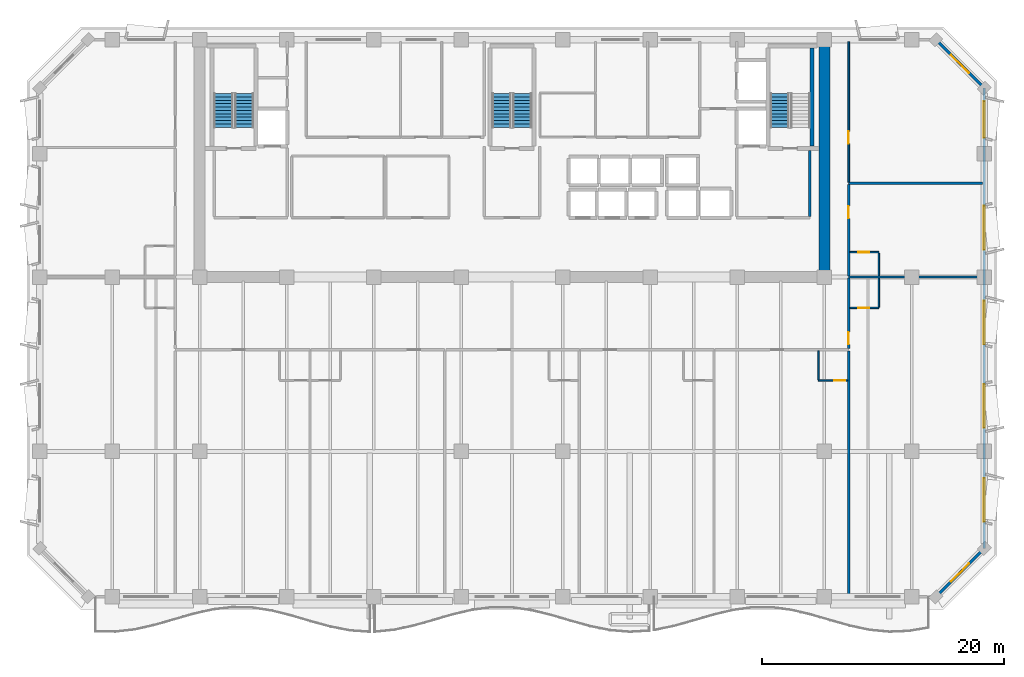
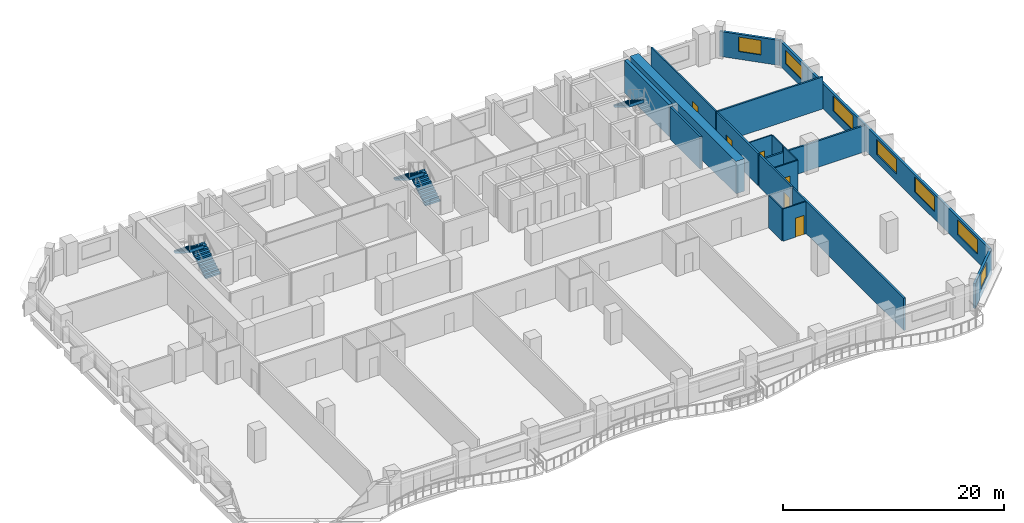
# One storey, part 8 of 14: 18 walls, 7 windows, 6 doors, 5 stair flights, 13 openings, 3 elements without a shape of their own.
"""IFC4 building model written with IfcOpenShell, lengths in metres."""

from ifc_helpers import new_model, si_unit, direction, frame, frame_2d, origin, place, context, subcontext, project, spatial, polyline, rectangle, outline, extrude, material, layer, layer_set, type_object, element, fill, aggregate, save


model = new_model("IFC4")

# Units and contexts
model_context = context("Model", 3, precision=1e-05, world=origin(), true_north=direction((0.0, 1.0)))
body_context = subcontext(model_context, "Body", "Model", "MODEL_VIEW")
ifc_project = project(units=[si_unit("LENGTHUNIT", "METRE"), si_unit("AREAUNIT", "SQUARE_METRE"), si_unit("VOLUMEUNIT", "CUBIC_METRE"), si_unit("PLANEANGLEUNIT", "RADIAN"), si_unit("MASSUNIT", "GRAM", prefix="KILO")], contexts=[model_context])

# Site, building, storey
site_placement = place(None, origin())
site = spatial("IfcSite", under=ifc_project, at=site_placement, CompositionType="ELEMENT")
building_placement = place(site_placement, origin())
building = spatial("IfcBuilding", under=site, at=building_placement, Name="Kaelvorn Grand Hotel", CompositionType="ELEMENT")
storey_placement = place(building_placement, frame((0.0, 0.0, 201.550048828125)))
storey = spatial("IfcBuildingStorey", under=building, at=storey_placement, Name="L49", CompositionType="ELEMENT", Elevation=201.550048828125)

# Wall
ifc_material_1 = material(Name="Concrete C60/75", Category="concrete")
ifc_layer_1 = layer(ifc_material_1, 0.89990234375)
ifc_layer_set_1 = layer_set([ifc_layer_1], Name="Concrete C60/75")
wall_type_1 = type_object("IfcWallType", Name="WL-CORE-900-C60", PredefinedType="SHEAR", material=ifc_layer_set_1)
wall_1_placement = place(storey_placement, frame((67.800048828125, 29.39990234375, 0.0), z_axis=(0.0, 0.0, 1.0), x_axis=(0.0, 1.0, 0.0)))
element("IfcWall", 1, at=wall_1_placement, inside=storey, type_object=wall_type_1, Name="L49 Rear-Core East Shear Wall", PredefinedType="SHEAR", context=body_context, shape_type="SweptSolid", body=[
    extrude(rectangle(XDim=19.2001953125, YDim=0.89990234375, at=frame_2d((9.60009765625, 0.0))), origin(), (0.0, 0.0, 1.0), 3.56005859375),
])

# Wall, opening, window
ifc_material_2 = material(Name="Concrete C40/50", Category="concrete")
ifc_layer_2 = layer(ifc_material_2, 0.239990234375)
ifc_layer_set_2 = layer_set([ifc_layer_2], Name="Concrete C40/50")
wall_type_2 = type_object("IfcWallType", Name="WL-EXT-240-C40", PredefinedType="SOLIDWALL", material=ifc_layer_set_2)
wall_2_placement = place(storey_placement, frame((77.0, 3.0, 0.0), z_axis=(0.0, 0.0, 1.0), x_axis=(0.707106781187, 0.707106781187, 0.0)))
wall_2 = element("IfcWall", 2, at=wall_2_placement, inside=storey, type_object=wall_type_2, Name="L49 Exterior Architectural Concrete Wall 02", PredefinedType="SOLIDWALL", context=body_context, shape_type="SweptSolid", body=[
    extrude(rectangle(XDim=5.65673828125, YDim=0.239990234375, at=frame_2d((2.828369140625, 0.0))), origin(), (0.0, 0.0, 1.0), 2.760009765625),
])
opening_1_placement = place(wall_2_placement, frame((1.7783203125, 0.0, 0.85009765625)))
opening_1 = element("IfcOpeningElement", 3, at=opening_1_placement, cuts=wall_2, Name="Opening W7", PredefinedType="OPENING", context=body_context, shape_type="SweptSolid", body=[
    extrude(rectangle(XDim=2.10009765625, YDim=1.60009765625, at=frame_2d((1.050048828125, 0.800048828125))), frame((0.0, 0.1298828125, 0.0), z_axis=(0.0, -1.0, 0.0), x_axis=(1.0, 0.0, 0.0)), (0.0, 0.0, 1.0), 0.260009765625),
])
ifc_material_3 = material(Name="Laminated Low-E Glass", Category="glass")
window_type_1 = type_object("IfcWindowType", Name="WIN-CHM-2100x1600", PartitioningType="SINGLE_PANEL", PredefinedType="WINDOW", material=ifc_material_3)
window_1_placement = place(opening_1_placement, origin())
window_1 = element("IfcWindow", 4, at=window_1_placement, inside=storey, type_object=window_type_1, Name="L49 Chamfered 45-Degree Corner Window SE", OverallHeight=1.60009765625, OverallWidth=2.10009765625, PartitioningType="SINGLE_PANEL", PredefinedType="WINDOW", context=body_context, shape_type="SweptSolid", body=[
    extrude(rectangle(XDim=2.10009765625, YDim=1.60009765625, at=frame_2d((1.050048828125, 0.800048828125))), frame((0.0, 0.030029296875, 0.0), z_axis=(0.0, -1.0, 0.0), x_axis=(1.0, 0.0, 0.0)), (0.0, 0.0, 1.0), 0.06005859375),
])
fill(opening_1, window_1)

# Wall, openings, windows
wall_3_placement = place(storey_placement, frame((81.0, 7.0, 0.0), z_axis=(0.0, 0.0, 1.0), x_axis=(0.0, 1.0, 0.0)))
wall_3 = element("IfcWall", 5, at=wall_3_placement, inside=storey, type_object=wall_type_2, Name="L49 Exterior Architectural Concrete Wall 03", PredefinedType="SOLIDWALL", context=body_context, shape_type="SweptSolid", body=[
    extrude(rectangle(XDim=38.0, YDim=0.239990234375, at=frame_2d((19.0, 0.0))), origin(), (0.0, 0.0, 1.0), 2.760009765625),
])
opening_2_placement = place(wall_3_placement, frame((2.199951171875, 0.0, 0.85009765625)))
opening_2 = element("IfcOpeningElement", 6, at=opening_2_placement, cuts=wall_3, Name="Opening W3", PredefinedType="OPENING", context=body_context, shape_type="SweptSolid", body=[
    extrude(rectangle(XDim=3.60009765625, YDim=1.64990234375, at=frame_2d((1.800048828125, 0.824951171875))), frame((0.0, 0.1298828125, 0.0), z_axis=(0.0, -1.0, 0.0), x_axis=(1.0, 0.0, 0.0)), (0.0, 0.0, 1.0), 0.260009765625),
])
opening_3_placement = place(wall_3_placement, frame((9.965087890625, 0.0, 0.85009765625)))
opening_3 = element("IfcOpeningElement", 7, at=opening_3_placement, cuts=wall_3, Name="Opening W3", PredefinedType="OPENING", context=body_context, shape_type="SweptSolid", body=[
    extrude(rectangle(XDim=3.60009765625, YDim=1.64990234375, at=frame_2d((1.800048828125, 0.824951171875))), frame((0.0, 0.1298828125, 0.0), z_axis=(0.0, -1.0, 0.0), x_axis=(1.0, 0.0, 0.0)), (0.0, 0.0, 1.0), 0.260009765625),
])
opening_4_placement = place(wall_3_placement, frame((16.8349609375, 0.0, 0.85009765625)))
opening_4 = element("IfcOpeningElement", 8, at=opening_4_placement, cuts=wall_3, Name="Opening W3", PredefinedType="OPENING", context=body_context, shape_type="SweptSolid", body=[
    extrude(rectangle(XDim=3.60009765625, YDim=1.64990234375, at=frame_2d((1.800048828125, 0.824951171875))), frame((0.0, 0.1298828125, 0.0), z_axis=(0.0, -1.0, 0.0), x_axis=(1.0, 0.0, 0.0)), (0.0, 0.0, 1.0), 0.260009765625),
])
opening_5_placement = place(wall_3_placement, frame((24.675048828125, 0.0, 0.85009765625)))
opening_5 = element("IfcOpeningElement", 9, at=opening_5_placement, cuts=wall_3, Name="Opening W3", PredefinedType="OPENING", context=body_context, shape_type="SweptSolid", body=[
    extrude(rectangle(XDim=3.60009765625, YDim=1.64990234375, at=frame_2d((1.800048828125, 0.824951171875))), frame((0.0, 0.1298828125, 0.0), z_axis=(0.0, -1.0, 0.0), x_axis=(1.0, 0.0, 0.0)), (0.0, 0.0, 1.0), 0.260009765625),
])
opening_6_placement = place(wall_3_placement, frame((33.9150390625, 0.0, 0.85009765625)))
opening_6 = element("IfcOpeningElement", 10, at=opening_6_placement, cuts=wall_3, Name="Opening W5", PredefinedType="OPENING", context=body_context, shape_type="SweptSolid", body=[
    extrude(rectangle(XDim=3.0, YDim=1.5, at=frame_2d((1.5, 0.75))), frame((0.0, 0.1298828125, 0.0), z_axis=(0.0, -1.0, 0.0), x_axis=(1.0, 0.0, 0.0)), (0.0, 0.0, 1.0), 0.260009765625),
])
window_type_2 = type_object("IfcWindowType", Name="WIN-NTH-3000x1500", PartitioningType="SINGLE_PANEL", PredefinedType="WINDOW", material=ifc_material_3)
window_2_placement = place(opening_6_placement, origin())
window_2 = element("IfcWindow", 11, at=window_2_placement, inside=storey, type_object=window_type_2, Name="L49 E Wing Tilted-Frame Ribbon Window E05", OverallHeight=1.5, OverallWidth=3.0, PartitioningType="SINGLE_PANEL", PredefinedType="WINDOW", context=body_context, shape_type="SweptSolid", body=[
    extrude(rectangle(XDim=3.0, YDim=1.5, at=frame_2d((1.5, 0.75))), frame((0.0, 0.030029296875, 0.0), z_axis=(0.0, -1.0, 0.0), x_axis=(1.0, 0.0, 0.0)), (0.0, 0.0, 1.0), 0.06005859375),
])
fill(opening_6, window_2)
window_type_3 = type_object("IfcWindowType", Name="WIN-RIB-3600x1750", PartitioningType="SINGLE_PANEL", PredefinedType="WINDOW", material=ifc_material_3)
window_3_placement = place(opening_2_placement, origin())
window_3 = element("IfcWindow", 12, at=window_3_placement, inside=storey, type_object=window_type_3, Name="L49 E Wing Tilted-Frame Ribbon Window E01", OverallHeight=1.64990234375, OverallWidth=3.60009765625, PartitioningType="SINGLE_PANEL", PredefinedType="WINDOW", context=body_context, shape_type="SweptSolid", body=[
    extrude(rectangle(XDim=3.60009765625, YDim=1.64990234375, at=frame_2d((1.800048828125, 0.824951171875))), frame((0.0, 0.030029296875, 0.0), z_axis=(0.0, -1.0, 0.0), x_axis=(1.0, 0.0, 0.0)), (0.0, 0.0, 1.0), 0.06005859375),
])
fill(opening_2, window_3)
window_4_placement = place(opening_3_placement, origin())
window_4 = element("IfcWindow", 13, at=window_4_placement, inside=storey, type_object=window_type_3, Name="L49 E Wing Tilted-Frame Ribbon Window E02", OverallHeight=1.64990234375, OverallWidth=3.60009765625, PartitioningType="SINGLE_PANEL", PredefinedType="WINDOW", context=body_context, shape_type="SweptSolid", body=[
    extrude(rectangle(XDim=3.60009765625, YDim=1.64990234375, at=frame_2d((1.800048828125, 0.824951171875))), frame((0.0, 0.030029296875, 0.0), z_axis=(0.0, -1.0, 0.0), x_axis=(1.0, 0.0, 0.0)), (0.0, 0.0, 1.0), 0.06005859375),
])
fill(opening_3, window_4)
window_5_placement = place(opening_4_placement, origin())
window_5 = element("IfcWindow", 14, at=window_5_placement, inside=storey, type_object=window_type_3, Name="L49 E Wing Tilted-Frame Ribbon Window E03", OverallHeight=1.64990234375, OverallWidth=3.60009765625, PartitioningType="SINGLE_PANEL", PredefinedType="WINDOW", context=body_context, shape_type="SweptSolid", body=[
    extrude(rectangle(XDim=3.60009765625, YDim=1.64990234375, at=frame_2d((1.800048828125, 0.824951171875))), frame((0.0, 0.030029296875, 0.0), z_axis=(0.0, -1.0, 0.0), x_axis=(1.0, 0.0, 0.0)), (0.0, 0.0, 1.0), 0.06005859375),
])
fill(opening_4, window_5)
window_6_placement = place(opening_5_placement, origin())
window_6 = element("IfcWindow", 15, at=window_6_placement, inside=storey, type_object=window_type_3, Name="L49 E Wing Tilted-Frame Ribbon Window E04", OverallHeight=1.64990234375, OverallWidth=3.60009765625, PartitioningType="SINGLE_PANEL", PredefinedType="WINDOW", context=body_context, shape_type="SweptSolid", body=[
    extrude(rectangle(XDim=3.60009765625, YDim=1.64990234375, at=frame_2d((1.800048828125, 0.824951171875))), frame((0.0, 0.030029296875, 0.0), z_axis=(0.0, -1.0, 0.0), x_axis=(1.0, 0.0, 0.0)), (0.0, 0.0, 1.0), 0.06005859375),
])
fill(opening_5, window_6)

# Wall, opening, window
wall_4_placement = place(storey_placement, frame((81.0, 45.0, 0.0), z_axis=(0.0, 0.0, 1.0), x_axis=(-0.707106781187, 0.707106781187, 0.0)))
wall_4 = element("IfcWall", 16, at=wall_4_placement, inside=storey, type_object=wall_type_2, Name="L49 Exterior Architectural Concrete Wall 04", PredefinedType="SOLIDWALL", context=body_context, shape_type="SweptSolid", body=[
    extrude(rectangle(XDim=5.65673828125, YDim=0.239990234375, at=frame_2d((2.828369140625, 0.0))), origin(), (0.0, 0.0, 1.0), 2.760009765625),
])
opening_7_placement = place(wall_4_placement, frame((1.7783203125, 0.0, 0.85009765625)))
opening_7 = element("IfcOpeningElement", 17, at=opening_7_placement, cuts=wall_4, Name="Opening W7", PredefinedType="OPENING", context=body_context, shape_type="SweptSolid", body=[
    extrude(rectangle(XDim=2.10009765625, YDim=1.60009765625, at=frame_2d((1.050048828125, 0.800048828125))), frame((0.0, 0.1298828125, 0.0), z_axis=(0.0, -1.0, 0.0), x_axis=(1.0, 0.0, 0.0)), (0.0, 0.0, 1.0), 0.260009765625),
])
window_7_placement = place(opening_7_placement, origin())
window_7 = element("IfcWindow", 18, at=window_7_placement, inside=storey, type_object=window_type_1, Name="L49 Chamfered 45-Degree Corner Window NE", OverallHeight=1.60009765625, OverallWidth=2.10009765625, PartitioningType="SINGLE_PANEL", PredefinedType="WINDOW", context=body_context, shape_type="SweptSolid", body=[
    extrude(rectangle(XDim=2.10009765625, YDim=1.60009765625, at=frame_2d((1.050048828125, 0.800048828125))), frame((0.0, 0.030029296875, 0.0), z_axis=(0.0, -1.0, 0.0), x_axis=(1.0, 0.0, 0.0)), (0.0, 0.0, 1.0), 0.06005859375),
])
fill(opening_7, window_7)

# Wall, opening, door
ifc_material_4 = material(Name="Moisture-Resistant Tile & Stud Board")
ifc_layer_3 = layer(ifc_material_4, 0.125)
ifc_layer_set_3 = layer_set([ifc_layer_3], Name="Moisture-Resistant Tile & Stud Board")
wall_type_3 = type_object("IfcWallType", Name="WL-PART-125-WET", PredefinedType="PARTITIONING", material=ifc_layer_set_3)
wall_5_placement = place(storey_placement, frame((67.300048828125, 20.85009765625, 0.0), z_axis=(0.0, 0.0, 1.0), x_axis=(1.0, 0.0, 0.0)))
wall_5 = element("IfcWall", 19, at=wall_5_placement, inside=storey, type_object=wall_type_3, Name="L49 En-suite Bathroom L49-05 S Partition", PredefinedType="PARTITIONING", context=body_context, shape_type="SweptSolid", body=[
    extrude(rectangle(XDim=2.405029296875, YDim=0.125, at=frame_2d((1.20263671875, 0.0))), origin(), (0.0, 0.0, 1.0), 3.56005859375),
])
opening_8_placement = place(wall_5_placement, frame((1.300048828125, 0.0, 0.0)))
opening_8 = element("IfcOpeningElement", 20, at=opening_8_placement, cuts=wall_5, Name="Opening DI4", PredefinedType="OPENING", context=body_context, shape_type="SweptSolid", body=[
    extrude(rectangle(XDim=0.89990234375, YDim=2.10009765625, at=frame_2d((0.449951171875, 1.050048828125))), frame((0.0, 0.072509765625, 0.0), z_axis=(0.0, -1.0, 0.0), x_axis=(1.0, 0.0, 0.0)), (0.0, 0.0, 1.0), 0.14501953125),
])
ifc_material_5 = material(Name="Timber Veneer Leaf", Category="wood")
door_type_1 = type_object("IfcDoorType", Name="DR-INT-BATH-900x2100", OperationType="NOTDEFINED", PredefinedType="DOOR", material=ifc_material_5)
door_1_placement = place(opening_8_placement, origin())
door_1 = element("IfcDoor", 21, at=door_1_placement, inside=storey, type_object=door_type_1, Name="L49 En-suite Bathroom L49-05 Door", OperationType="SINGLE_SWING_LEFT", OverallHeight=2.10009765625, OverallWidth=0.89990234375, PredefinedType="DOOR", context=body_context, shape_type="SweptSolid", body=[
    extrude(rectangle(XDim=0.89990234375, YDim=2.10009765625, at=frame_2d((0.449951171875, 1.050048828125))), frame((0.0, 0.02490234375, 0.0), z_axis=(0.0, -1.0, 0.0), x_axis=(1.0, 0.0, 0.0)), (0.0, 0.0, 1.0), 0.050048828125),
])
fill(opening_8, door_1)

# Wall
wall_6_placement = place(storey_placement, frame((67.300048828125, 20.91748046875, 0.0), z_axis=(0.0, 0.0, 1.0), x_axis=(0.0, 1.0, 0.0)))
element("IfcWall", 22, at=wall_6_placement, inside=storey, type_object=wall_type_3, Name="L49 En-suite Bathroom L49-05 W Partition", PredefinedType="PARTITIONING", context=body_context, shape_type="SweptSolid", body=[
    extrude(rectangle(XDim=2.387451171875, YDim=0.125, at=frame_2d((1.19384765625, 0.0))), origin(), (0.0, 0.0, 1.0), 3.56005859375),
])

# Wall, opening, door
wall_7_placement = place(storey_placement, frame((69.89501953125, 26.85009765625, 0.0), z_axis=(0.0, 0.0, 1.0), x_axis=(1.0, 0.0, 0.0)))
wall_7 = element("IfcWall", 23, at=wall_7_placement, inside=storey, type_object=wall_type_3, Name="L49 En-suite Bathroom L49-07 S Partition", PredefinedType="PARTITIONING", context=body_context, shape_type="SweptSolid", body=[
    extrude(rectangle(XDim=2.405029296875, YDim=0.125, at=frame_2d((1.20263671875, 0.0))), origin(), (0.0, 0.0, 1.0), 3.56005859375),
])
opening_9_placement = place(wall_7_placement, frame((0.705078125, 0.0, 0.0)))
opening_9 = element("IfcOpeningElement", 24, at=opening_9_placement, cuts=wall_7, Name="Opening DI4", PredefinedType="OPENING", context=body_context, shape_type="SweptSolid", body=[
    extrude(rectangle(XDim=0.89990234375, YDim=2.10009765625, at=frame_2d((0.449951171875, 1.050048828125))), frame((0.0, 0.072509765625, 0.0), z_axis=(0.0, -1.0, 0.0), x_axis=(1.0, 0.0, 0.0)), (0.0, 0.0, 1.0), 0.14501953125),
])
door_2_placement = place(opening_9_placement, origin())
door_2 = element("IfcDoor", 25, at=door_2_placement, inside=storey, type_object=door_type_1, Name="L49 En-suite Bathroom L49-07 Door", OperationType="SINGLE_SWING_LEFT", OverallHeight=2.10009765625, OverallWidth=0.89990234375, PredefinedType="DOOR", context=body_context, shape_type="SweptSolid", body=[
    extrude(rectangle(XDim=0.89990234375, YDim=2.10009765625, at=frame_2d((0.449951171875, 1.050048828125))), frame((0.0, 0.02490234375, 0.0), z_axis=(0.0, -1.0, 0.0), x_axis=(1.0, 0.0, 0.0)), (0.0, 0.0, 1.0), 0.050048828125),
])
fill(opening_9, door_2)

# Wall
wall_8_placement = place(storey_placement, frame((72.300048828125, 26.91748046875, 0.0), z_axis=(0.0, 0.0, 1.0), x_axis=(0.0, 1.0, 0.0)))
element("IfcWall", 26, at=wall_8_placement, inside=storey, type_object=wall_type_3, Name="L49 En-suite Bathroom L49-07 E Partition", PredefinedType="PARTITIONING", context=body_context, shape_type="SweptSolid", body=[
    extrude(rectangle(XDim=2.387451171875, YDim=0.125, at=frame_2d((1.19384765625, 0.0))), origin(), (0.0, 0.0, 1.0), 3.56005859375),
])

# Wall, opening, door
wall_9_placement = place(storey_placement, frame((69.89501953125, 31.449951171875, 0.0), z_axis=(0.0, 0.0, 1.0), x_axis=(1.0, 0.0, 0.0)))
wall_9 = element("IfcWall", 27, at=wall_9_placement, inside=storey, type_object=wall_type_3, Name="L49 En-suite Bathroom L49-09 N Partition", PredefinedType="PARTITIONING", context=body_context, shape_type="SweptSolid", body=[
    extrude(rectangle(XDim=2.405029296875, YDim=0.125, at=frame_2d((1.20263671875, 0.0))), origin(), (0.0, 0.0, 1.0), 3.56005859375),
])
opening_10_placement = place(wall_9_placement, frame((0.705078125, 0.0, 0.0)))
opening_10 = element("IfcOpeningElement", 28, at=opening_10_placement, cuts=wall_9, Name="Opening DI4", PredefinedType="OPENING", context=body_context, shape_type="SweptSolid", body=[
    extrude(rectangle(XDim=0.89990234375, YDim=2.10009765625, at=frame_2d((0.449951171875, 1.050048828125))), frame((0.0, 0.072509765625, 0.0), z_axis=(0.0, -1.0, 0.0), x_axis=(1.0, 0.0, 0.0)), (0.0, 0.0, 1.0), 0.14501953125),
])
door_3_placement = place(opening_10_placement, origin())
door_3 = element("IfcDoor", 29, at=door_3_placement, inside=storey, type_object=door_type_1, Name="L49 En-suite Bathroom L49-09 Door", OperationType="SINGLE_SWING_RIGHT", OverallHeight=2.10009765625, OverallWidth=0.89990234375, PredefinedType="DOOR", context=body_context, shape_type="SweptSolid", body=[
    extrude(rectangle(XDim=0.89990234375, YDim=2.10009765625, at=frame_2d((0.449951171875, 1.050048828125))), frame((0.0, 0.02490234375, 0.0), z_axis=(0.0, -1.0, 0.0), x_axis=(1.0, 0.0, 0.0)), (0.0, 0.0, 1.0), 0.050048828125),
])
fill(opening_10, door_3)

# Wall
wall_10_placement = place(storey_placement, frame((72.300048828125, 29.4951171875, 0.0), z_axis=(0.0, 0.0, 1.0), x_axis=(0.0, 1.0, 0.0)))
element("IfcWall", 30, at=wall_10_placement, inside=storey, type_object=wall_type_3, Name="L49 En-suite Bathroom L49-09 E Partition", PredefinedType="PARTITIONING", context=body_context, shape_type="SweptSolid", body=[
    extrude(rectangle(XDim=1.887451171875, YDim=0.125, at=frame_2d((0.94384765625, 0.0))), origin(), (0.0, 0.0, 1.0), 3.56005859375),
])

# Wall, opening, door
ifc_material_6 = material(Name="Acoustic Gypsum & Stud Partition")
ifc_layer_4 = layer(ifc_material_6, 0.14990234375)
ifc_layer_set_4 = layer_set([ifc_layer_4], Name="Acoustic Gypsum & Stud Partition")
wall_type_4 = type_object("IfcWallType", Name="WL-PART-150-EI60", PredefinedType="PARTITIONING", material=ifc_layer_set_4)
wall_11_placement = place(storey_placement, frame((69.800048828125, 37.2451171875, 0.0), z_axis=(0.0, 0.0, 1.0), x_axis=(0.0, 1.0, 0.0)))
wall_11 = element("IfcWall", 31, at=wall_11_placement, inside=storey, type_object=wall_type_4, Name="L49 North-East Summit Conference Room W Partition", PredefinedType="PARTITIONING", context=body_context, shape_type="SweptSolid", body=[
    extrude(rectangle(XDim=11.60498046875, YDim=0.14990234375, at=frame_2d((5.802490234375, 0.0))), origin(), (0.0, 0.0, 1.0), 3.56005859375),
])
opening_11_placement = place(wall_11_placement, frame((3.175048828125, 0.0, 0.0)))
opening_11 = element("IfcOpeningElement", 32, at=opening_11_placement, cuts=wall_11, Name="Opening DI3", PredefinedType="OPENING", context=body_context, shape_type="SweptSolid", body=[
    extrude(rectangle(XDim=1.0, YDim=2.14990234375, at=frame_2d((0.5, 1.074951171875))), frame((0.0, 0.0849609375, 0.0), z_axis=(0.0, -1.0, 0.0), x_axis=(1.0, 0.0, 0.0)), (0.0, 0.0, 1.0), 0.169921875),
])
ifc_material_7 = material(Name="Timber Veneer Fire Leaf", Category="wood")
door_type_2 = type_object("IfcDoorType", Name="DR-INT-GUEST-1000x2150", OperationType="NOTDEFINED", PredefinedType="DOOR", material=ifc_material_7)
door_4_placement = place(opening_11_placement, origin())
door_4 = element("IfcDoor", 33, at=door_4_placement, inside=storey, type_object=door_type_2, Name="L49 North-East Summit Conference Room Door", OperationType="SINGLE_SWING_LEFT", OverallHeight=2.14990234375, OverallWidth=1.0, PredefinedType="DOOR", context=body_context, shape_type="SweptSolid", body=[
    extrude(rectangle(XDim=1.0, YDim=2.14990234375, at=frame_2d((0.5, 1.074951171875))), frame((0.0, 0.02490234375, 0.0), z_axis=(0.0, -1.0, 0.0), x_axis=(1.0, 0.0, 0.0)), (0.0, 0.0, 1.0), 0.050048828125),
])
fill(opening_11, door_4)

# Walls
ifc_layer_5 = layer(ifc_material_6, 0.179931640625)
ifc_layer_set_5 = layer_set([ifc_layer_5], Name="Acoustic Gypsum & Stud Partition")
wall_type_5 = type_object("IfcWallType", Name="WL-PART-180-EI60", PredefinedType="PARTITIONING", material=ifc_layer_set_5)
wall_12_placement = place(storey_placement, frame((69.800048828125, 3.14990234375, 0.0), z_axis=(0.0, 0.0, 1.0), x_axis=(0.0, 1.0, 0.0)))
element("IfcWall", 34, at=wall_12_placement, inside=storey, type_object=wall_type_5, Name="L49 Mid-Rise Signature Suite L49-05 E Partition", PredefinedType="PARTITIONING", context=body_context, shape_type="SweptSolid", body=[
    extrude(rectangle(XDim=20.155029296875, YDim=0.179931640625, at=frame_2d((10.07763671875, 0.0))), origin(), (0.0, 0.0, 1.0), 3.56005859375),
])
wall_13_placement = place(storey_placement, frame((69.800048828125, 29.39990234375, 0.0), z_axis=(0.0, 0.0, 1.0), x_axis=(1.0, 0.0, 0.0)))
element("IfcWall", 35, at=wall_13_placement, inside=storey, type_object=wall_type_5, Name="L49 Presidential Sky Suite L49-07 N Partition", PredefinedType="PARTITIONING", context=body_context, shape_type="SweptSolid", body=[
    extrude(rectangle(XDim=11.050048828125, YDim=0.179931640625, at=frame_2d((5.52490234375, 0.0))), origin(), (0.0, 0.0, 1.0), 2.909912109375),
])

# Wall, opening, door
wall_14_placement = place(storey_placement, frame((69.800048828125, 23.4951171875, 0.0), z_axis=(0.0, 0.0, 1.0), x_axis=(0.0, 1.0, 0.0)))
wall_14 = element("IfcWall", 36, at=wall_14_placement, inside=storey, type_object=wall_type_5, Name="L49 Presidential Sky Suite L49-07 W Partition", PredefinedType="PARTITIONING", context=body_context, shape_type="SweptSolid", body=[
    extrude(rectangle(XDim=5.809814453125, YDim=0.179931640625, at=frame_2d((2.90478515625, 0.0))), origin(), (0.0, 0.0, 1.0), 3.56005859375),
])
opening_12_placement = place(wall_14_placement, frame((0.35498046875, 0.0, 0.0)))
opening_12 = element("IfcOpeningElement", 37, at=opening_12_placement, cuts=wall_14, Name="Opening DI3", PredefinedType="OPENING", context=body_context, shape_type="SweptSolid", body=[
    extrude(rectangle(XDim=1.0, YDim=2.14990234375, at=frame_2d((0.5, 1.074951171875))), frame((0.0, 0.10009765625, 0.0), z_axis=(0.0, -1.0, 0.0), x_axis=(1.0, 0.0, 0.0)), (0.0, 0.0, 1.0), 0.199951171875),
])
door_5_placement = place(opening_12_placement, origin())
door_5 = element("IfcDoor", 38, at=door_5_placement, inside=storey, type_object=door_type_2, Name="L49 Presidential Sky Suite L49-07 Door", OperationType="SINGLE_SWING_RIGHT", OverallHeight=2.14990234375, OverallWidth=1.0, PredefinedType="DOOR", context=body_context, shape_type="SweptSolid", body=[
    extrude(rectangle(XDim=1.0, YDim=2.14990234375, at=frame_2d((0.5, 1.074951171875))), frame((0.0, 0.02490234375, 0.0), z_axis=(0.0, -1.0, 0.0), x_axis=(1.0, 0.0, 0.0)), (0.0, 0.0, 1.0), 0.050048828125),
])
fill(opening_12, door_5)

# Wall
wall_15_placement = place(storey_placement, frame((69.800048828125, 37.14990234375, 0.0), z_axis=(0.0, 0.0, 1.0), x_axis=(1.0, 0.0, 0.0)))
element("IfcWall", 39, at=wall_15_placement, inside=storey, type_object=wall_type_5, Name="L49 North-East Wing Suite L49-09 N Partition", PredefinedType="PARTITIONING", context=body_context, shape_type="SweptSolid", body=[
    extrude(rectangle(XDim=11.050048828125, YDim=0.179931640625, at=frame_2d((5.52490234375, 0.0))), origin(), (0.0, 0.0, 1.0), 3.56005859375),
])

# Wall, opening, door
wall_16_placement = place(storey_placement, frame((69.800048828125, 29.4951171875, 0.0), z_axis=(0.0, 0.0, 1.0), x_axis=(0.0, 1.0, 0.0)))
wall_16 = element("IfcWall", 40, at=wall_16_placement, inside=storey, type_object=wall_type_5, Name="L49 North-East Wing Suite L49-09 W Partition", PredefinedType="PARTITIONING", context=body_context, shape_type="SweptSolid", body=[
    extrude(rectangle(XDim=7.559814453125, YDim=0.179931640625, at=frame_2d((3.77978515625, 0.0))), origin(), (0.0, 0.0, 1.0), 3.56005859375),
])
opening_13_placement = place(wall_16_placement, frame((4.7548828125, 0.0, 0.0)))
opening_13 = element("IfcOpeningElement", 41, at=opening_13_placement, cuts=wall_16, Name="Opening DI3", PredefinedType="OPENING", context=body_context, shape_type="SweptSolid", body=[
    extrude(rectangle(XDim=1.0, YDim=2.14990234375, at=frame_2d((0.5, 1.074951171875))), frame((0.0, 0.10009765625, 0.0), z_axis=(0.0, -1.0, 0.0), x_axis=(1.0, 0.0, 0.0)), (0.0, 0.0, 1.0), 0.199951171875),
])
door_6_placement = place(opening_13_placement, origin())
door_6 = element("IfcDoor", 42, at=door_6_placement, inside=storey, type_object=door_type_2, Name="L49 North-East Wing Suite L49-09 Door", OperationType="SINGLE_SWING_LEFT", OverallHeight=2.14990234375, OverallWidth=1.0, PredefinedType="DOOR", context=body_context, shape_type="SweptSolid", body=[
    extrude(rectangle(XDim=1.0, YDim=2.14990234375, at=frame_2d((0.5, 1.074951171875))), frame((0.0, 0.02490234375, 0.0), z_axis=(0.0, -1.0, 0.0), x_axis=(1.0, 0.0, 0.0)), (0.0, 0.0, 1.0), 0.050048828125),
])
fill(opening_13, door_6)

# Walls
ifc_layer_6 = layer(ifc_material_2, 0.219970703125)
ifc_layer_set_6 = layer_set([ifc_layer_6], Name="Concrete C40/50")
wall_type_6 = type_object("IfcWallType", Name="WL-PART-220-EI120", PredefinedType="PARTITIONING", material=ifc_layer_set_6)
wall_17_placement = place(storey_placement, frame((66.60009765625, 34.4150390625, 0.0), z_axis=(0.0, 0.0, 1.0), x_axis=(0.0, 1.0, 0.0)))
element("IfcWall", 43, at=wall_17_placement, inside=storey, type_object=wall_type_6, Name="L49 Firefighting Lift Lobby 2 E Partition", PredefinedType="PARTITIONING", context=body_context, shape_type="SweptSolid", body=[
    extrude(rectangle(XDim=5.429931640625, YDim=0.219970703125, at=frame_2d((2.71484375, 0.0))), origin(), (0.0, 0.0, 1.0), 3.56005859375),
])
ifc_layer_7 = layer(ifc_material_1, 0.35009765625)
ifc_layer_set_7 = layer_set([ifc_layer_7], Name="Concrete C60/75")
wall_type_7 = type_object("IfcWallType", Name="WL-SHAFT-350-C60", PredefinedType="SHEAR", material=ifc_layer_set_7)
wall_18_placement = place(storey_placement, frame((66.77490234375, 40.205078125, 0.0), z_axis=(0.0, 0.0, 1.0), x_axis=(0.0, 1.0, 0.0)))
element("IfcWall", 44, at=wall_18_placement, inside=storey, type_object=wall_type_7, Name="L49 ST3 Stair Shaft East Wall", PredefinedType="SHEAR", context=body_context, shape_type="SweptSolid", body=[
    extrude(rectangle(XDim=8.08984375, YDim=0.35009765625, at=frame_2d((4.044921875, 0.0))), origin(), (0.0, 0.0, 1.0), 3.56005859375),
])

# Stair, stair flights
stair_type = type_object("IfcStairType", Name="STR-DOG-1560-R08", PredefinedType="HALF_TURN_STAIR", material=ifc_material_2)
stair_1_placement = place(storey_placement, origin())
stair_1 = element("IfcStair", 45, at=stair_1_placement, inside=storey, type_object=stair_type, Name="L49 West Core Exit Stair ST1", PredefinedType="HALF_TURN_STAIR")
stair_flight_type = type_object("IfcStairFlightType", Name="FLG-DOG-1560-R08", PredefinedType="STRAIGHT", material=ifc_material_2)
stair_flight_1_placement = place(storey_placement, frame((19.89990234375, 41.760009765625, 0.0), z_axis=(0.0, 0.0, 1.0), x_axis=(0.0, 1.0, 0.0)))
stair_flight_1 = element("IfcStairFlight", 46, at=stair_flight_1_placement, type_object=stair_flight_type, Name="ST1 flight 1", NumberOfRisers=11, NumberOfTreads=10, PredefinedType="STRAIGHT", RiserHeight=0.172727273, TreadLength=0.28, context=body_context, shape_type="SweptSolid", body=[
    extrude(outline(polyline([(-0.0048828125, 0.0), (-0.0048828125, 0.0400390625), (0.0, 0.172607421875), (0.280029296875, 0.172607421875), (0.280029296875, 0.345458984375), (0.56005859375, 0.345458984375), (0.56005859375, 0.51806640625), (0.840087890625, 0.51806640625), (0.840087890625, 0.69091796875), (1.1201171875, 0.69091796875), (1.1201171875, 0.863525390625), (1.39990234375, 0.863525390625), (1.39990234375, 1.036376953125), (1.679931640625, 1.036376953125), (1.679931640625, 1.208984375), (1.9599609375, 1.208984375), (1.9599609375, 1.3818359375), (2.239990234375, 1.3818359375), (2.239990234375, 1.554443359375), (2.52001953125, 1.554443359375), (2.52001953125, 1.727294921875), (2.800048828125, 1.727294921875), (2.800048828125, 1.89990234375), (2.804931640625, 1.89990234375), (2.804931640625, 1.551025390625), (0.285400390625, 0.0), (-0.0048828125, 0.0)])), frame((0.0, 0.780029296875, 0.0), z_axis=(0.0, -1.0, 0.0), x_axis=(1.0, 0.0, 0.0)), (0.0, 0.0, 1.0), 1.56005859375),
])
stair_flight_2_placement = place(storey_placement, frame((18.179931640625, 44.56005859375, 1.89990234375), z_axis=(0.0, 0.0, 1.0), x_axis=(0.0, -1.0, 0.0)))
stair_flight_2 = element("IfcStairFlight", 47, at=stair_flight_2_placement, type_object=stair_flight_type, Name="ST1 flight 2", NumberOfRisers=11, NumberOfTreads=10, PredefinedType="STRAIGHT", RiserHeight=0.172727273, TreadLength=0.28, context=body_context, shape_type="SweptSolid", body=[
    extrude(outline(polyline([(-0.0048828125, 0.0), (-0.0048828125, 0.0400390625), (0.0, 0.172607421875), (0.280029296875, 0.172607421875), (0.280029296875, 0.345458984375), (0.56005859375, 0.345458984375), (0.56005859375, 0.51806640625), (0.840087890625, 0.51806640625), (0.840087890625, 0.69091796875), (1.1201171875, 0.69091796875), (1.1201171875, 0.863525390625), (1.39990234375, 0.863525390625), (1.39990234375, 1.036376953125), (1.679931640625, 1.036376953125), (1.679931640625, 1.208984375), (1.9599609375, 1.208984375), (1.9599609375, 1.3818359375), (2.239990234375, 1.3818359375), (2.239990234375, 1.554443359375), (2.52001953125, 1.554443359375), (2.52001953125, 1.727294921875), (2.800048828125, 1.727294921875), (2.800048828125, 1.89990234375), (2.804931640625, 1.89990234375), (2.804931640625, 1.551025390625), (0.285400390625, 0.0), (-0.0048828125, 0.0)])), frame((0.0, 0.780029296875, 0.0), z_axis=(0.0, -1.0, 0.0), x_axis=(1.0, 0.0, 0.0)), (0.0, 0.0, 1.0), 1.56005859375),
])
aggregate(stair_1, [stair_flight_1, stair_flight_2])

stair_2_placement = place(storey_placement, origin())
stair_2 = element("IfcStair", 48, at=stair_2_placement, inside=storey, type_object=stair_type, Name="L49 Central Core Exit Stair ST2", PredefinedType="HALF_TURN_STAIR")
stair_flight_3_placement = place(storey_placement, frame((42.860107421875, 41.760009765625, 0.0), z_axis=(0.0, 0.0, 1.0), x_axis=(0.0, 1.0, 0.0)))
stair_flight_3 = element("IfcStairFlight", 49, at=stair_flight_3_placement, type_object=stair_flight_type, Name="ST2 flight 1", NumberOfRisers=11, NumberOfTreads=10, PredefinedType="STRAIGHT", RiserHeight=0.172727273, TreadLength=0.28, context=body_context, shape_type="SweptSolid", body=[
    extrude(outline(polyline([(-0.0048828125, 0.0), (-0.0048828125, 0.0400390625), (0.0, 0.172607421875), (0.280029296875, 0.172607421875), (0.280029296875, 0.345458984375), (0.56005859375, 0.345458984375), (0.56005859375, 0.51806640625), (0.840087890625, 0.51806640625), (0.840087890625, 0.69091796875), (1.1201171875, 0.69091796875), (1.1201171875, 0.863525390625), (1.39990234375, 0.863525390625), (1.39990234375, 1.036376953125), (1.679931640625, 1.036376953125), (1.679931640625, 1.208984375), (1.9599609375, 1.208984375), (1.9599609375, 1.3818359375), (2.239990234375, 1.3818359375), (2.239990234375, 1.554443359375), (2.52001953125, 1.554443359375), (2.52001953125, 1.727294921875), (2.800048828125, 1.727294921875), (2.800048828125, 1.89990234375), (2.804931640625, 1.89990234375), (2.804931640625, 1.551025390625), (0.285400390625, 0.0), (-0.0048828125, 0.0)])), frame((0.0, 0.780029296875, 0.0), z_axis=(0.0, -1.0, 0.0), x_axis=(1.0, 0.0, 0.0)), (0.0, 0.0, 1.0), 1.56005859375),
])
stair_flight_4_placement = place(storey_placement, frame((41.139892578125, 44.56005859375, 1.89990234375), z_axis=(0.0, 0.0, 1.0), x_axis=(0.0, -1.0, 0.0)))
stair_flight_4 = element("IfcStairFlight", 50, at=stair_flight_4_placement, type_object=stair_flight_type, Name="ST2 flight 2", NumberOfRisers=11, NumberOfTreads=10, PredefinedType="STRAIGHT", RiserHeight=0.172727273, TreadLength=0.28, context=body_context, shape_type="SweptSolid", body=[
    extrude(outline(polyline([(-0.0048828125, 0.0), (-0.0048828125, 0.0400390625), (0.0, 0.172607421875), (0.280029296875, 0.172607421875), (0.280029296875, 0.345458984375), (0.56005859375, 0.345458984375), (0.56005859375, 0.51806640625), (0.840087890625, 0.51806640625), (0.840087890625, 0.69091796875), (1.1201171875, 0.69091796875), (1.1201171875, 0.863525390625), (1.39990234375, 0.863525390625), (1.39990234375, 1.036376953125), (1.679931640625, 1.036376953125), (1.679931640625, 1.208984375), (1.9599609375, 1.208984375), (1.9599609375, 1.3818359375), (2.239990234375, 1.3818359375), (2.239990234375, 1.554443359375), (2.52001953125, 1.554443359375), (2.52001953125, 1.727294921875), (2.800048828125, 1.727294921875), (2.800048828125, 1.89990234375), (2.804931640625, 1.89990234375), (2.804931640625, 1.551025390625), (0.285400390625, 0.0), (-0.0048828125, 0.0)])), frame((0.0, 0.780029296875, 0.0), z_axis=(0.0, -1.0, 0.0), x_axis=(1.0, 0.0, 0.0)), (0.0, 0.0, 1.0), 1.56005859375),
])
aggregate(stair_2, [stair_flight_3, stair_flight_4])

# Stair, stair flight
stair_3_placement = place(storey_placement, origin())
stair_3 = element("IfcStair", 51, at=stair_3_placement, inside=storey, type_object=stair_type, Name="L49 East Core Exit Stair ST3", PredefinedType="HALF_TURN_STAIR")
stair_flight_5_placement = place(storey_placement, frame((64.10009765625, 44.56005859375, 1.89990234375), z_axis=(0.0, 0.0, 1.0), x_axis=(0.0, -1.0, 0.0)))
stair_flight_5 = element("IfcStairFlight", 52, at=stair_flight_5_placement, type_object=stair_flight_type, Name="ST3 flight 2", NumberOfRisers=11, NumberOfTreads=10, PredefinedType="STRAIGHT", RiserHeight=0.172727273, TreadLength=0.28, context=body_context, shape_type="SweptSolid", body=[
    extrude(outline(polyline([(-0.0048828125, 0.0), (-0.0048828125, 0.0400390625), (0.0, 0.172607421875), (0.280029296875, 0.172607421875), (0.280029296875, 0.345458984375), (0.56005859375, 0.345458984375), (0.56005859375, 0.51806640625), (0.840087890625, 0.51806640625), (0.840087890625, 0.69091796875), (1.1201171875, 0.69091796875), (1.1201171875, 0.863525390625), (1.39990234375, 0.863525390625), (1.39990234375, 1.036376953125), (1.679931640625, 1.036376953125), (1.679931640625, 1.208984375), (1.9599609375, 1.208984375), (1.9599609375, 1.3818359375), (2.239990234375, 1.3818359375), (2.239990234375, 1.554443359375), (2.52001953125, 1.554443359375), (2.52001953125, 1.727294921875), (2.800048828125, 1.727294921875), (2.800048828125, 1.89990234375), (2.804931640625, 1.89990234375), (2.804931640625, 1.551025390625), (0.285400390625, 0.0), (-0.0048828125, 0.0)])), frame((0.0, 0.780029296875, 0.0), z_axis=(0.0, -1.0, 0.0), x_axis=(1.0, 0.0, 0.0)), (0.0, 0.0, 1.0), 1.56005859375),
])
aggregate(stair_3, [stair_flight_5])

save(model, "model.ifc")
